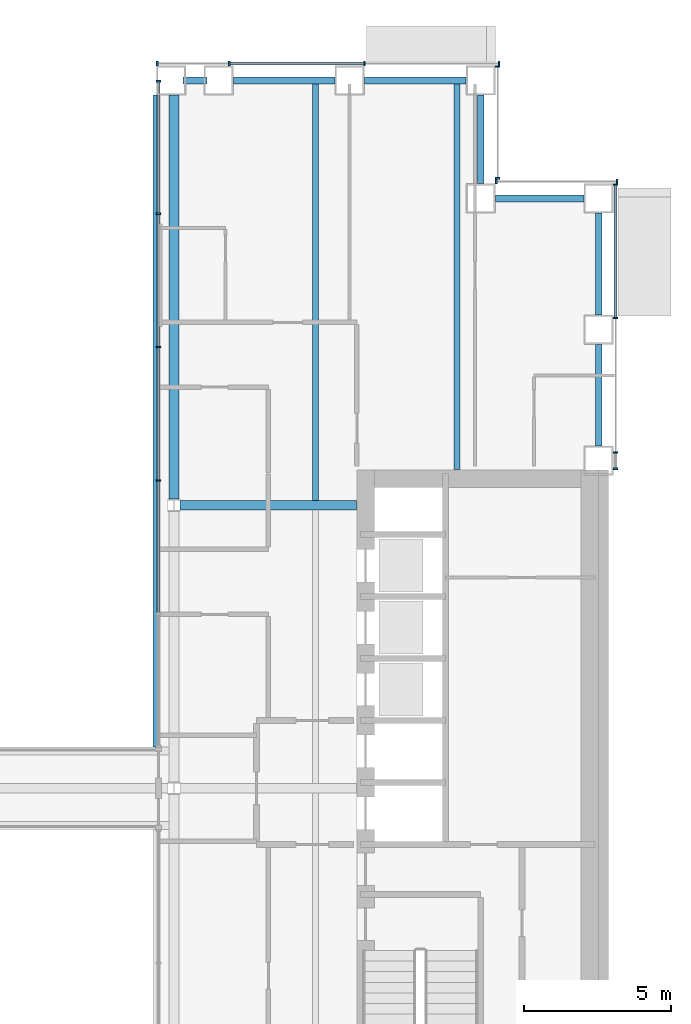
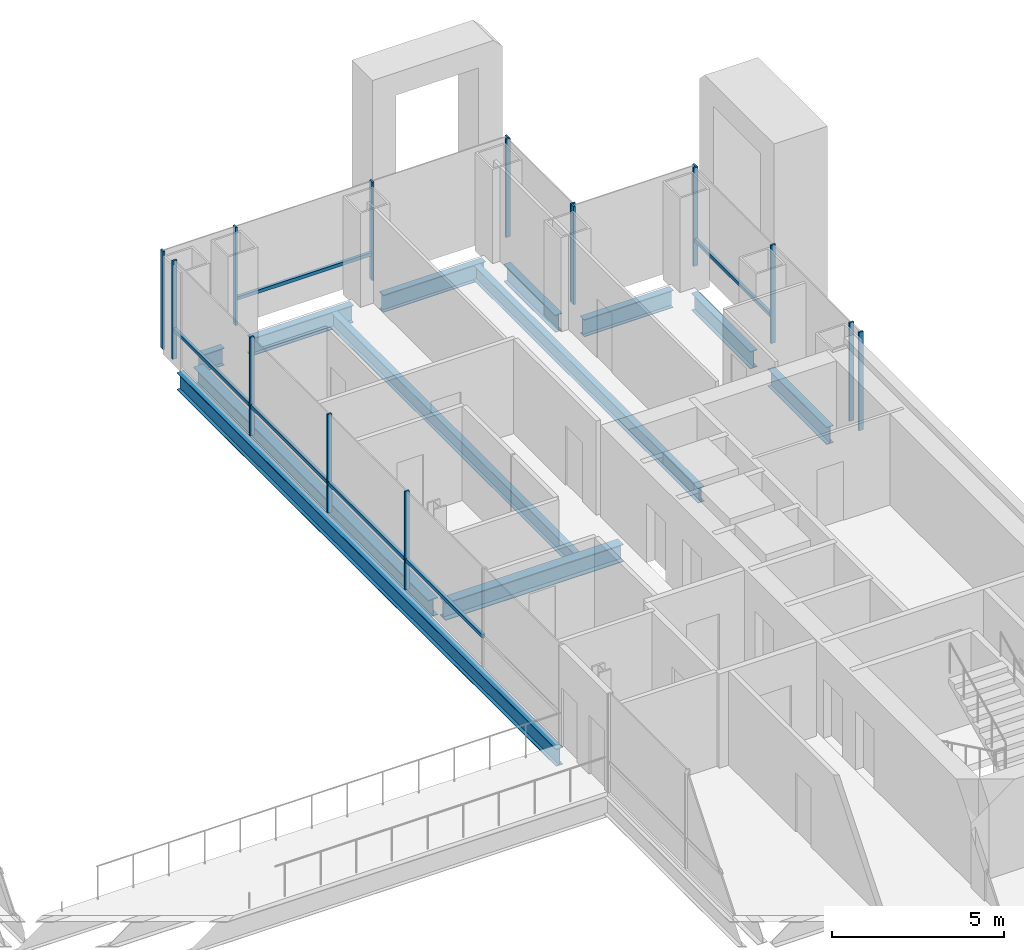
# One storey, part 7 of 21: 22 members, 12 beams, 5 elements without a shape of their own.
"""IFC4 building model written with IfcOpenShell, lengths in metres."""

from ifc_helpers import new_model, si_unit, direction, frame, origin, origin_2d, place, context, subcontext, project, spatial, rectangle, i_section, extrude, material, material_profile, profile_set, type_object, element, aggregate, save


model = new_model("IFC4")

# Units and contexts
model_context = context("Model", 3, precision=1e-05, world=origin(), true_north=direction((0.0, 1.0)))
body_context = subcontext(model_context, "Body", "Model", "MODEL_VIEW")
ifc_project = project(units=[si_unit("LENGTHUNIT", "METRE"), si_unit("AREAUNIT", "SQUARE_METRE"), si_unit("VOLUMEUNIT", "CUBIC_METRE"), si_unit("PLANEANGLEUNIT", "RADIAN"), si_unit("MASSUNIT", "GRAM", prefix="KILO")], contexts=[model_context])

# Site, building, storey
site_placement = place(None, origin())
site = spatial("IfcSite", under=ifc_project, at=site_placement, CompositionType="ELEMENT")
building_placement = place(site_placement, origin())
building = spatial("IfcBuilding", under=site, at=building_placement, Name="Cobrizo Arcos Hotel Tower", CompositionType="ELEMENT")
storey_placement = place(building_placement, frame((0.0, 0.0, 74.0)))
storey = spatial("IfcBuildingStorey", under=building, at=storey_placement, Name="L17", CompositionType="ELEMENT", Elevation=74.0)

# Curtain wall, members
ifc_material_1 = material(Name="Aluminium 6063-T6 anodised bronze", Category="aluminium")
curtain_wall_type_1 = type_object("IfcCurtainWallType", Name="CW-A guest facade", PredefinedType="NOTDEFINED", material=ifc_material_1)
curtain_wall_1_placement = place(storey_placement, origin())
curtain_wall_1 = element("IfcCurtainWall", 1, at=curtain_wall_1_placement, inside=storey, type_object=curtain_wall_type_1, Name="CW-A L17 E face", PredefinedType="NOTDEFINED")
ifc_material_profile_1 = material_profile(ifc_material_1, rectangle(XDim=0.14990234375, YDim=0.06005859375, at=origin_2d()), Name="CW-A mullion 150x60")
ifc_profile_set_1 = profile_set([ifc_material_profile_1], Name="Aluminium 6063-T6 anodised bronze")
member_type_1 = type_object("IfcMemberType", Name="CW-A mullion 150x60", PredefinedType="MULLION", material=ifc_profile_set_1)
member_1_placement = place(storey_placement, frame((24.574951171875, 10.830078125, 0.0), z_axis=(0.0, 0.0, 1.0), x_axis=(1.0, 0.0, 0.0)))
member_1 = element("IfcMember", 2, at=member_1_placement, type_object=member_type_1, Name="CW-A mullion 1", PredefinedType="MULLION", context=body_context, shape_type="SweptSolid", body=[
    extrude(rectangle(XDim=0.14990234375, YDim=0.06005859375, at=origin_2d()), origin(), (0.0, 0.0, 1.0), 3.5),
])
member_2_placement = place(storey_placement, frame((24.574951171875, 11.388916015625, 0.0), z_axis=(0.0, 0.0, 1.0), x_axis=(1.0, 0.0, 0.0)))
member_2 = element("IfcMember", 3, at=member_2_placement, type_object=member_type_1, Name="CW-A mullion 2", PredefinedType="MULLION", context=body_context, shape_type="SweptSolid", body=[
    extrude(rectangle(XDim=0.14990234375, YDim=0.06005859375, at=origin_2d()), origin(), (0.0, 0.0, 1.0), 3.5),
])
member_3_placement = place(storey_placement, frame((24.574951171875, 15.9443359375, 0.0), z_axis=(0.0, 0.0, 1.0), x_axis=(1.0, 0.0, 0.0)))
member_3 = element("IfcMember", 4, at=member_3_placement, type_object=member_type_1, Name="CW-A mullion 3", PredefinedType="MULLION", context=body_context, shape_type="SweptSolid", body=[
    extrude(rectangle(XDim=0.14990234375, YDim=0.06005859375, at=origin_2d()), origin(), (0.0, 0.0, 1.0), 3.5),
])
member_4_placement = place(storey_placement, frame((24.574951171875, 20.469970703125, 0.0), z_axis=(0.0, 0.0, 1.0), x_axis=(1.0, 0.0, 0.0)))
member_4 = element("IfcMember", 5, at=member_4_placement, type_object=member_type_1, Name="CW-A mullion 4", PredefinedType="MULLION", context=body_context, shape_type="SweptSolid", body=[
    extrude(rectangle(XDim=0.14990234375, YDim=0.06005859375, at=origin_2d()), origin(), (0.0, 0.0, 1.0), 3.5),
])

curtain_wall_2_placement = place(storey_placement, origin())
curtain_wall_2 = element("IfcCurtainWall", 6, at=curtain_wall_2_placement, inside=storey, type_object=curtain_wall_type_1, Name="CW-A L17 N face", PredefinedType="NOTDEFINED")
member_5_placement = place(storey_placement, frame((24.6201171875, 20.574951171875, 0.0), z_axis=(0.0, 0.0, 1.0), x_axis=(0.0, 1.0, 0.0)))
member_5 = element("IfcMember", 7, at=member_5_placement, type_object=member_type_1, Name="CW-A mullion 1", PredefinedType="MULLION", context=body_context, shape_type="SweptSolid", body=[
    extrude(rectangle(XDim=0.14990234375, YDim=0.06005859375, at=origin_2d()), origin(), (0.0, 0.0, 1.0), 3.5),
])
member_6_placement = place(storey_placement, frame((20.530029296875, 20.574951171875, 0.0), z_axis=(0.0, 0.0, 1.0), x_axis=(0.0, 1.0, 0.0)))
member_6 = element("IfcMember", 8, at=member_6_placement, type_object=member_type_1, Name="CW-A mullion 2", PredefinedType="MULLION", context=body_context, shape_type="SweptSolid", body=[
    extrude(rectangle(XDim=0.14990234375, YDim=0.06005859375, at=origin_2d()), origin(), (0.0, 0.0, 1.0), 3.5),
])
aggregate(curtain_wall_2, [member_5, member_6])

curtain_wall_3_placement = place(storey_placement, origin())
curtain_wall_3 = element("IfcCurtainWall", 9, at=curtain_wall_3_placement, inside=storey, type_object=curtain_wall_type_1, Name="CW-A L17 E face", PredefinedType="NOTDEFINED")
member_7_placement = place(storey_placement, frame((20.574951171875, 20.679931640625, 0.0), z_axis=(0.0, 0.0, 1.0), x_axis=(1.0, 0.0, 0.0)))
member_7 = element("IfcMember", 10, at=member_7_placement, type_object=member_type_1, Name="CW-A mullion 1", PredefinedType="MULLION", context=body_context, shape_type="SweptSolid", body=[
    extrude(rectangle(XDim=0.14990234375, YDim=0.06005859375, at=origin_2d()), origin(), (0.0, 0.0, 1.0), 3.5),
])
member_8_placement = place(storey_placement, frame((20.574951171875, 24.469970703125, 0.0), z_axis=(0.0, 0.0, 1.0), x_axis=(1.0, 0.0, 0.0)))
member_8 = element("IfcMember", 11, at=member_8_placement, type_object=member_type_1, Name="CW-A mullion 2", PredefinedType="MULLION", context=body_context, shape_type="SweptSolid", body=[
    extrude(rectangle(XDim=0.14990234375, YDim=0.06005859375, at=origin_2d()), origin(), (0.0, 0.0, 1.0), 3.5),
])
aggregate(curtain_wall_3, [member_7, member_8])

curtain_wall_4_placement = place(storey_placement, origin())
curtain_wall_4 = element("IfcCurtainWall", 12, at=curtain_wall_4_placement, inside=storey, type_object=curtain_wall_type_1, Name="CW-A L17 N face", PredefinedType="NOTDEFINED")
member_9_placement = place(storey_placement, frame((20.6201171875, 24.574951171875, 0.0), z_axis=(0.0, 0.0, 1.0), x_axis=(0.0, 1.0, 0.0)))
member_9 = element("IfcMember", 13, at=member_9_placement, type_object=member_type_1, Name="CW-A mullion 1", PredefinedType="MULLION", context=body_context, shape_type="SweptSolid", body=[
    extrude(rectangle(XDim=0.14990234375, YDim=0.06005859375, at=origin_2d()), origin(), (0.0, 0.0, 1.0), 3.5),
])
member_10_placement = place(storey_placement, frame((16.06103515625, 24.574951171875, 0.0), z_axis=(0.0, 0.0, 1.0), x_axis=(0.0, 1.0, 0.0)))
member_10 = element("IfcMember", 14, at=member_10_placement, type_object=member_type_1, Name="CW-A mullion 2", PredefinedType="MULLION", context=body_context, shape_type="SweptSolid", body=[
    extrude(rectangle(XDim=0.14990234375, YDim=0.06005859375, at=origin_2d()), origin(), (0.0, 0.0, 1.0), 3.5),
])
member_11_placement = place(storey_placement, frame((11.47216796875, 24.574951171875, 0.0), z_axis=(0.0, 0.0, 1.0), x_axis=(0.0, 1.0, 0.0)))
member_11 = element("IfcMember", 15, at=member_11_placement, type_object=member_type_1, Name="CW-A mullion 3", PredefinedType="MULLION", context=body_context, shape_type="SweptSolid", body=[
    extrude(rectangle(XDim=0.14990234375, YDim=0.06005859375, at=origin_2d()), origin(), (0.0, 0.0, 1.0), 3.5),
])
member_12_placement = place(storey_placement, frame((9.030029296875, 24.574951171875, 0.0), z_axis=(0.0, 0.0, 1.0), x_axis=(0.0, 1.0, 0.0)))
member_12 = element("IfcMember", 16, at=member_12_placement, type_object=member_type_1, Name="CW-A mullion 4", PredefinedType="MULLION", context=body_context, shape_type="SweptSolid", body=[
    extrude(rectangle(XDim=0.14990234375, YDim=0.06005859375, at=origin_2d()), origin(), (0.0, 0.0, 1.0), 3.5),
])

# Member
ifc_material_profile_2 = material_profile(ifc_material_1, rectangle(XDim=0.10009765625, YDim=0.1201171875, at=origin_2d()), Name="CW-A transom 120x100")
ifc_profile_set_2 = profile_set([ifc_material_profile_2], Name="Aluminium 6063-T6 anodised bronze")
member_type_2 = type_object("IfcMemberType", Name="CW-A transom 120x100", PredefinedType="USERDEFINED", material=ifc_profile_set_2)
member_13_placement = place(storey_placement, frame((24.574951171875, 15.974365234375, 0.929931640625), z_axis=(0.0, 1.0, 0.0), x_axis=(-1.0, 0.0, 0.0)))
member_13 = element("IfcMember", 17, at=member_13_placement, type_object=member_type_2, Name="CW-A transom 730", ObjectType="TRANSOM", PredefinedType="USERDEFINED", context=body_context, shape_type="SweptSolid", body=[
    extrude(rectangle(XDim=0.10009765625, YDim=0.1201171875, at=origin_2d()), origin(), (0.0, 0.0, 1.0), 4.465576171875),
])

aggregate(curtain_wall_1, [member_1, member_2, member_3, member_4, member_13])

member_14_placement = place(storey_placement, frame((16.031005859375, 24.574951171875, 0.929931640625), z_axis=(-1.0, 0.0, 0.0), x_axis=(0.0, -1.0, 0.0)))
member_14 = element("IfcMember", 18, at=member_14_placement, type_object=member_type_2, Name="CW-A transom 734", ObjectType="TRANSOM", PredefinedType="USERDEFINED", context=body_context, shape_type="SweptSolid", body=[
    extrude(rectangle(XDim=0.10009765625, YDim=0.1201171875, at=origin_2d()), origin(), (0.0, 0.0, 1.0), 4.52880859375),
])

aggregate(curtain_wall_4, [member_9, member_10, member_11, member_12, member_14])

# Curtain wall, members
curtain_wall_type_2 = type_object("IfcCurtainWallType", Name="CW-F void screen", PredefinedType="NOTDEFINED", material=ifc_material_1)
curtain_wall_5_placement = place(storey_placement, origin())
curtain_wall_5 = element("IfcCurtainWall", 19, at=curtain_wall_5_placement, inside=storey, type_object=curtain_wall_type_2, Name="CW-F L17 void screen A", PredefinedType="NOTDEFINED")
ifc_material_profile_3 = material_profile(ifc_material_1, rectangle(XDim=0.14990234375, YDim=0.06005859375, at=origin_2d()), Name="CW-F mullion 150x60")
ifc_profile_set_3 = profile_set([ifc_material_profile_3], Name="Aluminium 6063-T6 anodised bronze")
member_type_3 = type_object("IfcMemberType", Name="CW-F mullion 150x60", PredefinedType="MULLION", material=ifc_profile_set_3)
member_15_placement = place(storey_placement, frame((9.074951171875, 10.43994140625, 0.0), z_axis=(0.0, 0.0, 1.0), x_axis=(1.0, 0.0, 0.0)))
member_15 = element("IfcMember", 20, at=member_15_placement, type_object=member_type_3, Name="CW-F mullion 3", PredefinedType="MULLION", context=body_context, shape_type="SweptSolid", body=[
    extrude(rectangle(XDim=0.14990234375, YDim=0.06005859375, at=origin_2d()), origin(), (0.0, 0.0, 1.0), 3.5),
])
member_16_placement = place(storey_placement, frame((9.074951171875, 14.9599609375, 0.0), z_axis=(0.0, 0.0, 1.0), x_axis=(1.0, 0.0, 0.0)))
member_16 = element("IfcMember", 21, at=member_16_placement, type_object=member_type_3, Name="CW-F mullion 4", PredefinedType="MULLION", context=body_context, shape_type="SweptSolid", body=[
    extrude(rectangle(XDim=0.14990234375, YDim=0.06005859375, at=origin_2d()), origin(), (0.0, 0.0, 1.0), 3.5),
])
member_17_placement = place(storey_placement, frame((9.074951171875, 19.47998046875, 0.0), z_axis=(0.0, 0.0, 1.0), x_axis=(1.0, 0.0, 0.0)))
member_17 = element("IfcMember", 22, at=member_17_placement, type_object=member_type_3, Name="CW-F mullion 5", PredefinedType="MULLION", context=body_context, shape_type="SweptSolid", body=[
    extrude(rectangle(XDim=0.14990234375, YDim=0.06005859375, at=origin_2d()), origin(), (0.0, 0.0, 1.0), 3.5),
])
member_18_placement = place(storey_placement, frame((9.074951171875, 23.969970703125, 0.0), z_axis=(0.0, 0.0, 1.0), x_axis=(1.0, 0.0, 0.0)))
member_18 = element("IfcMember", 23, at=member_18_placement, type_object=member_type_3, Name="CW-F mullion 6", PredefinedType="MULLION", context=body_context, shape_type="SweptSolid", body=[
    extrude(rectangle(XDim=0.14990234375, YDim=0.06005859375, at=origin_2d()), origin(), (0.0, 0.0, 1.0), 3.5),
])
ifc_material_profile_4 = material_profile(ifc_material_1, rectangle(XDim=0.10009765625, YDim=0.1201171875, at=origin_2d()), Name="CW-F transom 120x100")
ifc_profile_set_4 = profile_set([ifc_material_profile_4], Name="Aluminium 6063-T6 anodised bronze")
member_type_4 = type_object("IfcMemberType", Name="CW-F transom 120x100", PredefinedType="USERDEFINED", material=ifc_profile_set_4)
member_19_placement = place(storey_placement, frame((9.074951171875, 5.949951171875, 1.050048828125), z_axis=(0.0, 1.0, 0.0), x_axis=(-1.0, 0.0, 0.0)))
member_19 = element("IfcMember", 24, at=member_19_placement, type_object=member_type_4, Name="CW-F transom 2514", ObjectType="TRANSOM", PredefinedType="USERDEFINED", context=body_context, shape_type="SweptSolid", body=[
    extrude(rectangle(XDim=0.10009765625, YDim=0.1201171875, at=origin_2d()), origin(), (0.0, 0.0, 1.0), 4.4599609375),
])
member_20_placement = place(storey_placement, frame((9.074951171875, 10.469970703125, 1.050048828125), z_axis=(0.0, 1.0, 0.0), x_axis=(-1.0, 0.0, 0.0)))
member_20 = element("IfcMember", 25, at=member_20_placement, type_object=member_type_4, Name="CW-F transom 2515", ObjectType="TRANSOM", PredefinedType="USERDEFINED", context=body_context, shape_type="SweptSolid", body=[
    extrude(rectangle(XDim=0.10009765625, YDim=0.1201171875, at=origin_2d()), origin(), (0.0, 0.0, 1.0), 4.4599609375),
])
member_21_placement = place(storey_placement, frame((9.074951171875, 14.989990234375, 1.050048828125), z_axis=(0.0, 1.0, 0.0), x_axis=(-1.0, 0.0, 0.0)))
member_21 = element("IfcMember", 26, at=member_21_placement, type_object=member_type_4, Name="CW-F transom 2516", ObjectType="TRANSOM", PredefinedType="USERDEFINED", context=body_context, shape_type="SweptSolid", body=[
    extrude(rectangle(XDim=0.10009765625, YDim=0.1201171875, at=origin_2d()), origin(), (0.0, 0.0, 1.0), 4.4599609375),
])
member_22_placement = place(storey_placement, frame((9.074951171875, 19.510009765625, 1.050048828125), z_axis=(0.0, 1.0, 0.0), x_axis=(-1.0, 0.0, 0.0)))
member_22 = element("IfcMember", 27, at=member_22_placement, type_object=member_type_4, Name="CW-F transom 2517", ObjectType="TRANSOM", PredefinedType="USERDEFINED", context=body_context, shape_type="SweptSolid", body=[
    extrude(rectangle(XDim=0.10009765625, YDim=0.1201171875, at=origin_2d()), origin(), (0.0, 0.0, 1.0), 4.429931640625),
])
aggregate(curtain_wall_5, [member_15, member_16, member_17, member_18, member_19, member_20, member_21, member_22])

# Beams
ifc_material_2 = material(Name="Steel ASTM A992 Grade 50", Category="steel")
ifc_material_profile_5 = material_profile(ifc_material_2, i_section(OverallWidth=0.209228515625, OverallDepth=0.533447265625, WebThickness=0.01025390625, FlangeThickness=0.015625, at=origin_2d()), Name="W21X62")
ifc_profile_set_5 = profile_set([ifc_material_profile_5], Name="Steel ASTM A992 Grade 50")
beam_type_1 = type_object("IfcBeamType", Name="W21X62 joist", PredefinedType="JOIST", material=ifc_profile_set_5)
beam_1_placement = place(storey_placement, frame((14.39990234375, 9.763916015625, -0.416748046875), z_axis=(0.0, 1.0, 0.0), x_axis=(-1.0, 0.0, 0.0)))
element("IfcBeam", 28, at=beam_1_placement, inside=storey, type_object=beam_type_1, Name="Floor joist J1, L17, no. 010", PredefinedType="JOIST", context=body_context, shape_type="SweptSolid", body=[
    extrude(i_section(OverallWidth=0.209228515625, OverallDepth=0.533447265625, WebThickness=0.01025390625, FlangeThickness=0.015625, at=origin_2d()), origin(), (0.0, 0.0, 1.0), 14.14599609375),
])
beam_2_placement = place(storey_placement, frame((19.199951171875, 10.81005859375, -0.416748046875), z_axis=(0.0, 1.0, 0.0), x_axis=(-1.0, 0.0, 0.0)))
element("IfcBeam", 29, at=beam_2_placement, inside=storey, type_object=beam_type_1, Name="Floor joist J1, L17, no. 012", PredefinedType="JOIST", context=body_context, shape_type="SweptSolid", body=[
    extrude(i_section(OverallWidth=0.209228515625, OverallDepth=0.533447265625, WebThickness=0.01025390625, FlangeThickness=0.015625, at=origin_2d()), origin(), (0.0, 0.0, 1.0), 13.099853515625),
])
ifc_material_profile_6 = material_profile(ifc_material_2, i_section(OverallWidth=0.32763671875, OverallDepth=0.622314453125, WebThickness=0.015380859375, FlangeThickness=0.0244140625, at=origin_2d()), Name="W24X131")
ifc_profile_set_6 = profile_set([ifc_material_profile_6], Name="Steel ASTM A992 Grade 50")
beam_type_2 = type_object("IfcBeamType", Name="W24X131 girder", PredefinedType="BEAM", material=ifc_profile_set_6)
beam_3_placement = place(storey_placement, frame((9.804443359375, 9.60009765625, -0.461181640625), z_axis=(1.0, 0.0, 0.0), x_axis=(0.0, 1.0, 0.0)))
element("IfcBeam", 30, at=beam_3_placement, inside=storey, type_object=beam_type_2, Name="Floor girder G1, L17, no. 007", PredefinedType="BEAM", context=body_context, shape_type="SweptSolid", body=[
    extrude(i_section(OverallWidth=0.32763671875, OverallDepth=0.622314453125, WebThickness=0.015380859375, FlangeThickness=0.0244140625, at=origin_2d()), origin(), (0.0, 0.0, 1.0), 5.985595703125),
])
beam_4_placement = place(storey_placement, frame((9.60009765625, 9.804443359375, -0.461181640625), z_axis=(0.0, 1.0, 0.0), x_axis=(-1.0, 0.0, 0.0)))
element("IfcBeam", 31, at=beam_4_placement, inside=storey, type_object=beam_type_2, Name="Floor girder G1, L17, no. 015", PredefinedType="BEAM", context=body_context, shape_type="SweptSolid", body=[
    extrude(i_section(OverallWidth=0.32763671875, OverallDepth=0.622314453125, WebThickness=0.015380859375, FlangeThickness=0.0244140625, at=origin_2d()), origin(), (0.0, 0.0, 1.0), 13.695556640625),
])
ifc_material_profile_7 = material_profile(ifc_material_2, i_section(OverallWidth=0.23046875, OverallDepth=0.6171875, WebThickness=0.01318359375, FlangeThickness=0.022216796875, at=origin_2d()), Name="W24X94")
ifc_profile_set_7 = profile_set([ifc_material_profile_7], Name="Steel ASTM A992 Grade 50")
beam_type_3 = type_object("IfcBeamType", Name="W24X94 spandrel", PredefinedType="SPANDREL", material=ifc_profile_set_7)
beam_5_placement = place(storey_placement, frame((20.5, 20.0, -0.45849609375), z_axis=(1.0, 0.0, 0.0), x_axis=(0.0, 1.0, 0.0)))
element("IfcBeam", 32, at=beam_5_placement, inside=storey, type_object=beam_type_3, Name="Spandrel beam W24X94, L17, no. 001", PredefinedType="SPANDREL", context=body_context, shape_type="SweptSolid", body=[
    extrude(i_section(OverallWidth=0.23046875, OverallDepth=0.6171875, WebThickness=0.01318359375, FlangeThickness=0.022216796875, at=origin_2d()), origin(), (0.0, 0.0, 1.0), 3.0),
])
beam_6_placement = place(storey_placement, frame((24.0, 19.5, -0.45849609375), z_axis=(0.0, -1.0, 0.0), x_axis=(1.0, 0.0, 0.0)))
element("IfcBeam", 33, at=beam_6_placement, inside=storey, type_object=beam_type_3, Name="Spandrel beam W24X94, L17, no. 002", PredefinedType="SPANDREL", context=body_context, shape_type="SweptSolid", body=[
    extrude(i_section(OverallWidth=0.23046875, OverallDepth=0.6171875, WebThickness=0.01318359375, FlangeThickness=0.022216796875, at=origin_2d()), origin(), (0.0, 0.0, 1.0), 3.444091796875),
])
beam_7_placement = place(storey_placement, frame((24.0, 15.055908203125, -0.45849609375), z_axis=(0.0, -1.0, 0.0), x_axis=(1.0, 0.0, 0.0)))
element("IfcBeam", 34, at=beam_7_placement, inside=storey, type_object=beam_type_3, Name="Spandrel beam W24X94, L17, no. 003", PredefinedType="SPANDREL", context=body_context, shape_type="SweptSolid", body=[
    extrude(i_section(OverallWidth=0.23046875, OverallDepth=0.6171875, WebThickness=0.01318359375, FlangeThickness=0.022216796875, at=origin_2d()), origin(), (0.0, 0.0, 1.0), 3.44482421875),
])
beam_8_placement = place(storey_placement, frame((9.0, 1.39990234375, -0.45849609375), z_axis=(0.0, 1.0, 0.0), x_axis=(-1.0, 0.0, 0.0)))
element("IfcBeam", 35, at=beam_8_placement, inside=storey, type_object=beam_type_3, Name="Spandrel beam W24X94, L17, no. 028", PredefinedType="SPANDREL", context=body_context, shape_type="SweptSolid", body=[
    extrude(i_section(OverallWidth=0.23046875, OverallDepth=0.6171875, WebThickness=0.01318359375, FlangeThickness=0.022216796875, at=origin_2d()), origin(), (0.0, 0.0, 1.0), 22.10009765625),
])
beam_9_placement = place(storey_placement, frame((9.89990234375, 24.0, -0.45849609375), z_axis=(1.0, 0.0, 0.0), x_axis=(0.0, 1.0, 0.0)))
element("IfcBeam", 36, at=beam_9_placement, inside=storey, type_object=beam_type_3, Name="Spandrel beam W24X94, L17, no. 029", PredefinedType="SPANDREL", context=body_context, shape_type="SweptSolid", body=[
    extrude(i_section(OverallWidth=0.23046875, OverallDepth=0.6171875, WebThickness=0.01318359375, FlangeThickness=0.022216796875, at=origin_2d()), origin(), (0.0, 0.0, 1.0), 0.81103515625),
])
beam_10_placement = place(storey_placement, frame((11.611083984375, 24.0, -0.45849609375), z_axis=(1.0, 0.0, 0.0), x_axis=(0.0, 1.0, 0.0)))
element("IfcBeam", 37, at=beam_10_placement, inside=storey, type_object=beam_type_3, Name="Spandrel beam W24X94, L17, no. 030", PredefinedType="SPANDREL", context=body_context, shape_type="SweptSolid", body=[
    extrude(i_section(OverallWidth=0.23046875, OverallDepth=0.6171875, WebThickness=0.01318359375, FlangeThickness=0.022216796875, at=origin_2d()), origin(), (0.0, 0.0, 1.0), 3.44482421875),
])
beam_11_placement = place(storey_placement, frame((16.055908203125, 24.0, -0.45849609375), z_axis=(1.0, 0.0, 0.0), x_axis=(0.0, 1.0, 0.0)))
element("IfcBeam", 38, at=beam_11_placement, inside=storey, type_object=beam_type_3, Name="Spandrel beam W24X94, L17, no. 031", PredefinedType="SPANDREL", context=body_context, shape_type="SweptSolid", body=[
    extrude(i_section(OverallWidth=0.23046875, OverallDepth=0.6171875, WebThickness=0.01318359375, FlangeThickness=0.022216796875, at=origin_2d()), origin(), (0.0, 0.0, 1.0), 3.444091796875),
])
beam_12_placement = place(storey_placement, frame((20.0, 23.5, -0.45849609375), z_axis=(0.0, -1.0, 0.0), x_axis=(1.0, 0.0, 0.0)))
element("IfcBeam", 39, at=beam_12_placement, inside=storey, type_object=beam_type_3, Name="Spandrel beam W24X94, L17, no. 032", PredefinedType="SPANDREL", context=body_context, shape_type="SweptSolid", body=[
    extrude(i_section(OverallWidth=0.23046875, OverallDepth=0.6171875, WebThickness=0.01318359375, FlangeThickness=0.022216796875, at=origin_2d()), origin(), (0.0, 0.0, 1.0), 3.0),
])

save(model, "model.ifc")
